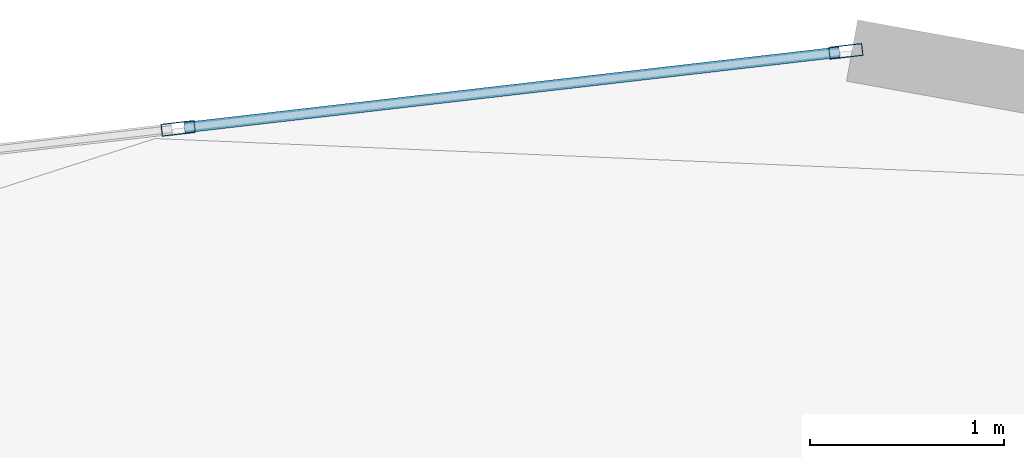
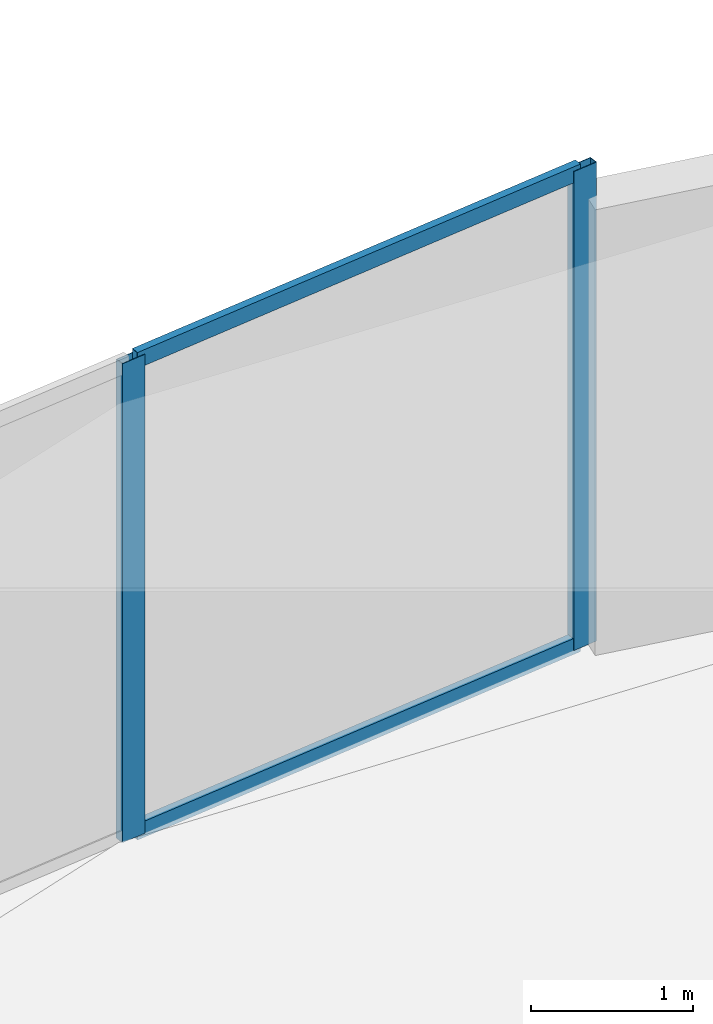
# One storey, part 18 of 26: 4 members, 1 element without a shape of its own.
"""IFC4 building model written with IfcOpenShell, lengths in metres."""

from ifc_helpers import new_model, si_unit, direction, frame, origin, origin_2d, place, context, subcontext, project, spatial, hollow_rectangle, extrude, source, transform, mapped, material, layer, layer_set, material_profile, profile_set, type_object, element, aggregate, save


model = new_model("IFC4")

# Units and contexts
model_context = context("Model", 3, precision=1e-05, world=origin(), true_north=direction((0.0, 1.0)))
body_context = subcontext(model_context, "Body", "Model", "MODEL_VIEW")
ifc_project = project(units=[si_unit("LENGTHUNIT", "METRE"), si_unit("AREAUNIT", "SQUARE_METRE"), si_unit("VOLUMEUNIT", "CUBIC_METRE"), si_unit("PLANEANGLEUNIT", "RADIAN"), si_unit("MASSUNIT", "GRAM", prefix="KILO")], contexts=[model_context])

# Site, building, storey
site_placement = place(None, origin())
site = spatial("IfcSite", under=ifc_project, at=site_placement, CompositionType="ELEMENT")
building_placement = place(site_placement, origin())
building = spatial("IfcBuilding", under=site, at=building_placement, Name="Solvirekh Grand Hotel", CompositionType="ELEMENT")
storey_placement = place(building_placement, frame((0.0, 0.0, 113.39990234375)))
storey = spatial("IfcBuildingStorey", under=building, at=storey_placement, Name="L28", CompositionType="ELEMENT", Elevation=113.39990234375)

# Curtain wall, members
ifc_material = material(Name="Anodized Bronze Aluminium 6063-T6", Category="aluminium")
ifc_layer = layer(ifc_material, 0.175048828125)
ifc_layer_set = layer_set([ifc_layer], Name="Anodized Bronze Aluminium 6063-T6")
curtain_wall_type = type_object("IfcCurtainWallType", Name="CW_Sys3_MidZoneFlushBronzeCW", PredefinedType="NOTDEFINED", material=ifc_layer_set)
curtain_wall_placement = place(storey_placement, origin())
curtain_wall = element("IfcCurtainWall", 1, at=curtain_wall_placement, inside=storey, type_object=curtain_wall_type, Name="L28 unitised bronze-glass curtain wall CW-L28-C08", PredefinedType="NOTDEFINED")
ifc_material_profile_1 = material_profile(ifc_material, hollow_rectangle(XDim=0.06494140625, YDim=0.175048828125, WallThickness=0.0048828125, at=origin_2d()), Name="ALU RHS 175X65X5")
ifc_profile_set_1 = profile_set([ifc_material_profile_1], Name="Anodized Bronze Aluminium 6063-T6")
member_type_1 = type_object("IfcMemberType", Name="CWMullion_Sys3", PredefinedType="MULLION", material=ifc_profile_set_1)
shared_shape_1 = source(origin(), body_context, "Body", "SweptSolid", [
    extrude(hollow_rectangle(XDim=0.06494140625, YDim=0.175048828125, WallThickness=0.0048828125, at=origin_2d()), origin(), (0.0, 0.0, 1.0), 3.60009765625),
])
member_1_placement = place(storey_placement, frame((-4.109375, 21.51318359375, 0.0), z_axis=(0.0, 0.0, 1.0), x_axis=(0.114607815536, -0.993410815634, 0.0)))
member_1 = element("IfcMember", 2, at=member_1_placement, type_object=member_type_1, Name="U03 mullion 1", PredefinedType="MULLION", context=body_context, shape_type="MappedRepresentation", body=[
    mapped(shared_shape_1, transform((0.0, 0.0, 0.0), x_axis=(1.0, 0.0, 0.0), y_axis=(0.0, 1.0, 0.0), z_axis=(0.0, 0.0, 1.0), scale=1.0)),
])
member_2_placement = place(storey_placement, frame((-7.548583984375, 21.116455078125, 0.0), z_axis=(0.0, 0.0, 1.0), x_axis=(0.114607815536, -0.993410815634, 0.0)))
member_2 = element("IfcMember", 3, at=member_2_placement, type_object=member_type_1, Name="U03 mullion 2", PredefinedType="MULLION", context=body_context, shape_type="MappedRepresentation", body=[
    mapped(shared_shape_1, transform((0.0, 0.0, 0.0), x_axis=(1.0, 0.0, 0.0), y_axis=(0.0, 1.0, 0.0), z_axis=(0.0, 0.0, 1.0), scale=1.0)),
])
ifc_material_profile_2 = material_profile(ifc_material, hollow_rectangle(XDim=0.054931640625, YDim=0.1201171875, WallThickness=0.00390625, at=origin_2d()), Name="ALU RHS 120X55X4")
ifc_profile_set_2 = profile_set([ifc_material_profile_2], Name="Anodized Bronze Aluminium 6063-T6")
member_type_2 = type_object("IfcMemberType", Name="CWTransom_Sys3", PredefinedType="USERDEFINED", material=ifc_profile_set_2)
shared_shape_2 = source(origin(), body_context, "Body", "SweptSolid", [
    extrude(hollow_rectangle(XDim=0.054931640625, YDim=0.1201171875, WallThickness=0.00390625, at=origin_2d()), origin(), (0.0, 0.0, 1.0), 3.39697265625),
])
member_3_placement = place(storey_placement, frame((-4.1416015625, 21.509521484375, 0.027587890625), z_axis=(-0.993407676749, -0.114635019853, 0.0), x_axis=(0.114635019853, -0.993407676749, 0.0)))
member_3 = element("IfcMember", 4, at=member_3_placement, type_object=member_type_2, Name="U03 transom 1.1", ObjectType="TRANSOM", PredefinedType="USERDEFINED", context=body_context, shape_type="MappedRepresentation", body=[
    mapped(shared_shape_2, transform((0.0, 0.0, 0.0), x_axis=(1.0, 0.0, 0.0), y_axis=(0.0, 1.0, 0.0), z_axis=(0.0, 0.0, 1.0), scale=1.0)),
])
member_4_placement = place(storey_placement, frame((-4.1416015625, 21.509521484375, 3.572509765625), z_axis=(-0.993407676749, -0.114635019853, 0.0), x_axis=(0.114635019853, -0.993407676749, 0.0)))
member_4 = element("IfcMember", 5, at=member_4_placement, type_object=member_type_2, Name="U03 transom 1.2", ObjectType="TRANSOM", PredefinedType="USERDEFINED", context=body_context, shape_type="MappedRepresentation", body=[
    mapped(shared_shape_2, transform((0.0, 0.0, 0.0), x_axis=(1.0, 0.0, 0.0), y_axis=(0.0, 1.0, 0.0), z_axis=(0.0, 0.0, 1.0), scale=1.0)),
])
aggregate(curtain_wall, [member_1, member_2, member_3, member_4])

save(model, "model.ifc")
